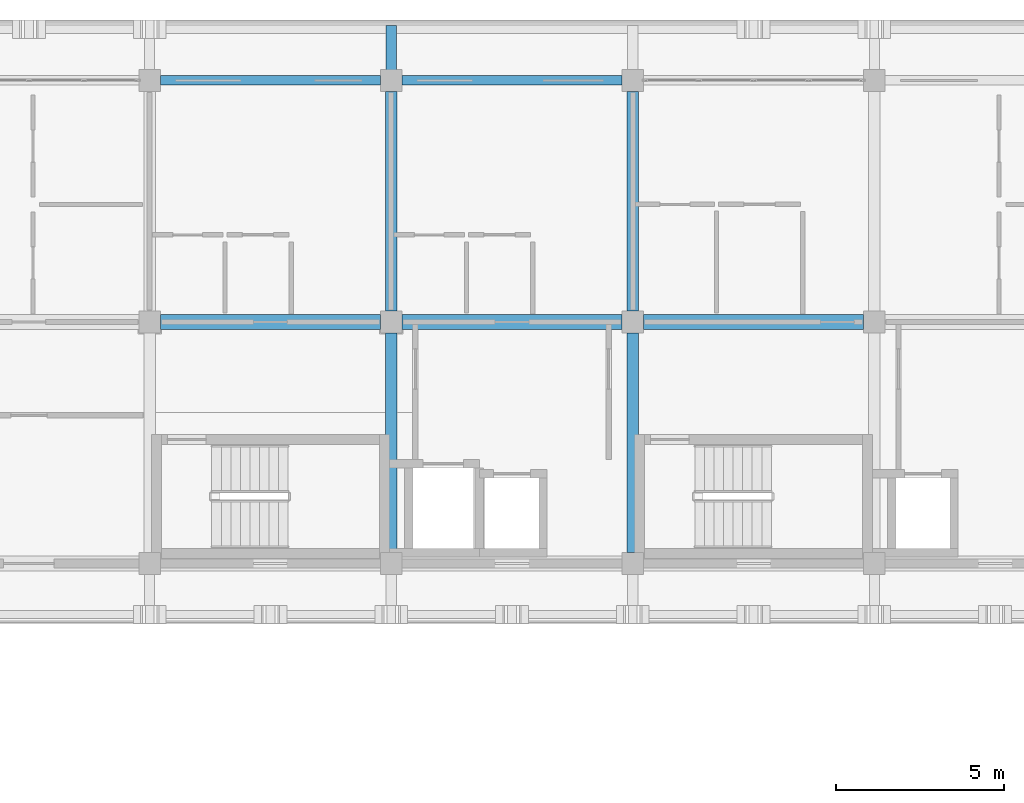
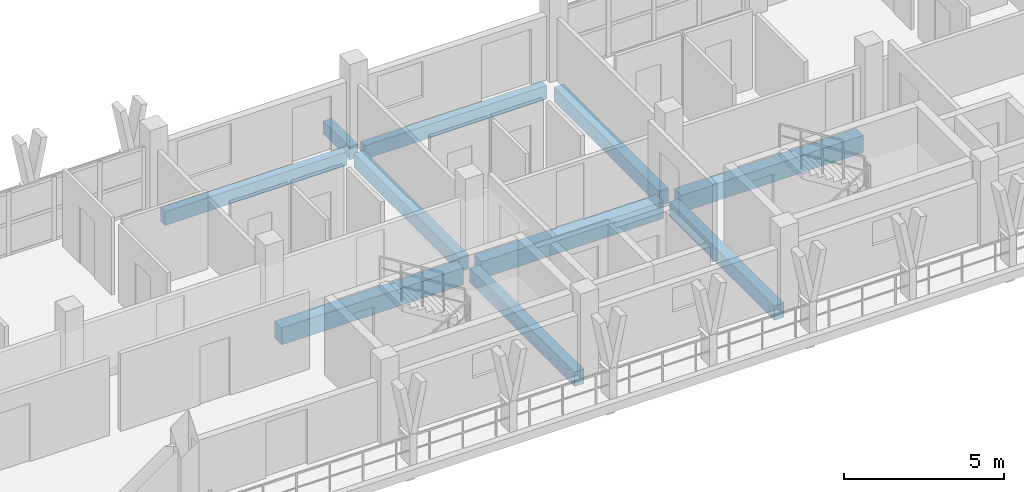
# One storey, part 15 of 78: 10 beams.
"""IFC4 building model written with IfcOpenShell, lengths in metres."""

from ifc_helpers import new_model, si_unit, direction, frame, origin, origin_2d, place, context, subcontext, project, spatial, rectangle, extrude, material, material_profile, profile_set, type_object, element, save


model = new_model("IFC4")

# Units and contexts
model_context = context("Model", 3, precision=1e-05, world=origin(), true_north=direction((0.0, 1.0)))
body_context = subcontext(model_context, "Body", "Model", "MODEL_VIEW")
ifc_project = project(units=[si_unit("LENGTHUNIT", "METRE"), si_unit("AREAUNIT", "SQUARE_METRE"), si_unit("VOLUMEUNIT", "CUBIC_METRE"), si_unit("PLANEANGLEUNIT", "RADIAN"), si_unit("MASSUNIT", "GRAM", prefix="KILO")], contexts=[model_context])

# Site, building, storey
site_placement = place(None, origin())
site = spatial("IfcSite", under=ifc_project, at=site_placement, CompositionType="ELEMENT")
building_placement = place(site_placement, origin())
building = spatial("IfcBuilding", under=site, at=building_placement, Name="Suanplinth Sawtooth Commons", CompositionType="ELEMENT")
storey_placement = place(building_placement, frame((0.0, 0.0, 15.39990234375)))
storey = spatial("IfcBuildingStorey", under=building, at=storey_placement, Name="L04", CompositionType="ELEMENT", Elevation=15.39990234375)

# Beams
ifc_material = material(Name="Precast concrete C40/50", Category="concrete")
ifc_material_profile_1 = material_profile(ifc_material, rectangle(XDim=0.449951171875, YDim=0.64990234375, at=origin_2d()), Name="PC-GDR 450x650")
ifc_profile_set_1 = profile_set([ifc_material_profile_1], Name="Precast concrete C40/50")
beam_type_1 = type_object("IfcBeamType", Name="B-04", PredefinedType="USERDEFINED", material=ifc_profile_set_1)
beam_1_placement = place(storey_placement, frame((43.52490234375, 115.199951171875, -0.544921875), z_axis=(1.0, 0.0, 0.0), x_axis=(0.0, 1.0, 0.0)))
element("IfcBeam", 1, at=beam_1_placement, inside=storey, type_object=beam_type_1, Name="BMX-L04-A-6-16", ObjectType="GIRDER", PredefinedType="USERDEFINED", context=body_context, shape_type="SweptSolid", body=[
    extrude(rectangle(XDim=0.449951171875, YDim=0.64990234375, at=origin_2d()), origin(), (0.0, 0.0, 1.0), 6.550048828125),
])
beam_2_placement = place(storey_placement, frame((50.72509765625, 115.199951171875, -0.544921875), z_axis=(1.0, 0.0, 0.0), x_axis=(0.0, 1.0, 0.0)))
element("IfcBeam", 2, at=beam_2_placement, inside=storey, type_object=beam_type_1, Name="BMX-L04-A-7-16", ObjectType="GIRDER", PredefinedType="USERDEFINED", context=body_context, shape_type="SweptSolid", body=[
    extrude(rectangle(XDim=0.449951171875, YDim=0.64990234375, at=origin_2d()), origin(), (0.0, 0.0, 1.0), 6.5498046875),
])
beam_3_placement = place(storey_placement, frame((57.925048828125, 115.199951171875, -0.544921875), z_axis=(1.0, 0.0, 0.0), x_axis=(0.0, 1.0, 0.0)))
element("IfcBeam", 3, at=beam_3_placement, inside=storey, type_object=beam_type_1, Name="BMX-L04-A-8-16", ObjectType="GIRDER", PredefinedType="USERDEFINED", context=body_context, shape_type="SweptSolid", body=[
    extrude(rectangle(XDim=0.449951171875, YDim=0.64990234375, at=origin_2d()), origin(), (0.0, 0.0, 1.0), 6.550048828125),
])
ifc_material_profile_2 = material_profile(ifc_material, rectangle(XDim=0.35009765625, YDim=0.550048828125, at=origin_2d()), Name="PC-BM 350x550")
ifc_profile_set_2 = profile_set([ifc_material_profile_2], Name="Precast concrete C40/50")
beam_type_2 = type_object("IfcBeamType", Name="B-06", PredefinedType="BEAM", material=ifc_profile_set_2)
for number, where, z_axis, x_axis, name in (
    (4, (50.39990234375, 108.324951171875, -0.494873046875), (0.0, 1.0, 0.0), (-1.0, 0.0, 0.0), "BMY-L04-A-7-15"),
    (5, (50.39990234375, 115.52490234375, -0.494873046875), (0.0, 1.0, 0.0), (-1.0, 0.0, 0.0), "BMY-L04-A-7-16"),
    (6, (57.60009765625, 108.324951171875, -0.494873046875), (0.0, 1.0, 0.0), (-1.0, 0.0, 0.0), "BMY-L04-A-8-15"),
    (7, (57.60009765625, 115.52490234375, -0.494873046875), (0.0, 1.0, 0.0), (-1.0, 0.0, 0.0), "BMY-L04-A-8-16"),
):
    element("IfcBeam", number, at=place(storey_placement, frame(where, z_axis=z_axis, x_axis=x_axis)), inside=storey, type_object=beam_type_2, Name=name, PredefinedType="BEAM", context=body_context, shape_type="SweptSolid", body=[
        extrude(rectangle(XDim=0.35009765625, YDim=0.550048828125, at=origin_2d()), origin(), (0.0, 0.0, 1.0), 6.550048828125),
    ])
ifc_material_profile_3 = material_profile(ifc_material, rectangle(XDim=0.300048828125, YDim=0.5, at=origin_2d()), Name="PC-BM 300x500")
ifc_profile_set_3 = profile_set([ifc_material_profile_3], Name="Precast concrete C40/50")
beam_type_3 = type_object("IfcBeamType", Name="B-07", PredefinedType="BEAM", material=ifc_profile_set_3)
beam_4_placement = place(storey_placement, frame((50.39990234375, 122.39990234375, -0.429931640625), z_axis=(0.0, 1.0, 0.0), x_axis=(-1.0, 0.0, 0.0)))
element("IfcBeam", 8, at=beam_4_placement, inside=storey, type_object=beam_type_3, Name="Balcony Outrigger L04-A-N-7", PredefinedType="BEAM", context=body_context, shape_type="SweptSolid", body=[
    extrude(rectangle(XDim=0.300048828125, YDim=0.5, at=origin_2d()), origin(), (0.0, 0.0, 1.0), 1.64013671875),
])
ifc_material_profile_4 = material_profile(ifc_material, rectangle(XDim=0.280029296875, YDim=0.52001953125, at=origin_2d()), Name="PC-SP 280x520")
ifc_profile_set_4 = profile_set([ifc_material_profile_4], Name="Precast concrete C40/50")
beam_type_4 = type_object("IfcBeamType", Name="B-08", PredefinedType="SPANDREL", material=ifc_profile_set_4)
beam_5_placement = place(storey_placement, frame((43.52490234375, 122.39990234375, -0.47998046875), z_axis=(1.0, 0.0, 0.0), x_axis=(0.0, 1.0, 0.0)))
element("IfcBeam", 9, at=beam_5_placement, inside=storey, type_object=beam_type_4, Name="BMX-L04-A-6-17", PredefinedType="SPANDREL", context=body_context, shape_type="SweptSolid", body=[
    extrude(rectangle(XDim=0.280029296875, YDim=0.52001953125, at=origin_2d()), origin(), (0.0, 0.0, 1.0), 6.550048828125),
])
beam_6_placement = place(storey_placement, frame((50.72509765625, 122.39990234375, -0.47998046875), z_axis=(1.0, 0.0, 0.0), x_axis=(0.0, 1.0, 0.0)))
element("IfcBeam", 10, at=beam_6_placement, inside=storey, type_object=beam_type_4, Name="BMX-L04-A-7-17", PredefinedType="SPANDREL", context=body_context, shape_type="SweptSolid", body=[
    extrude(rectangle(XDim=0.280029296875, YDim=0.52001953125, at=origin_2d()), origin(), (0.0, 0.0, 1.0), 6.5498046875),
])

save(model, "model.ifc")
